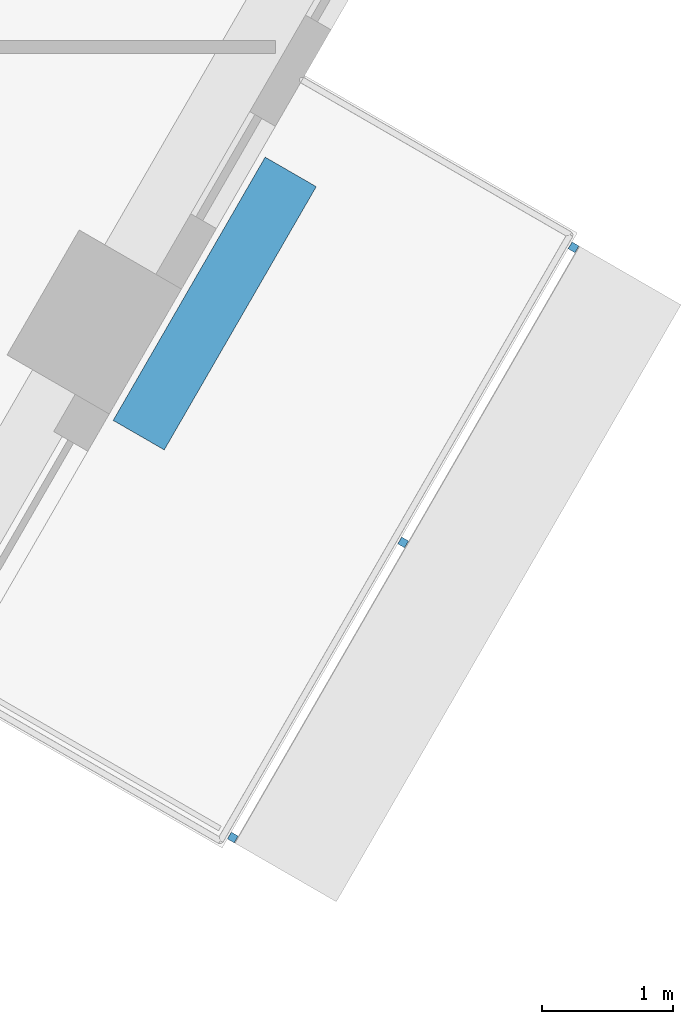
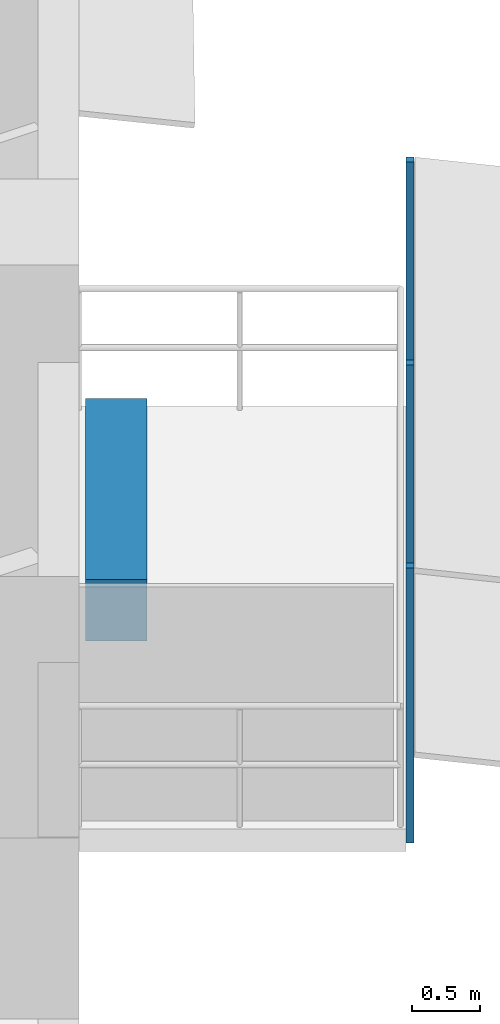
# One storey, part 9 of 12: 4 discrete accessories.
"""IFC4 building model written with IfcOpenShell, lengths in metres."""

from ifc_helpers import new_model, si_unit, direction, frame, origin, origin_2d, place, context, subcontext, project, spatial, rectangle, extrude, material, type_object, element, save


model = new_model("IFC4")

# Units and contexts
model_context = context("Model", 3, precision=1e-05, world=origin(), true_north=direction((0.0, 1.0)))
body_context = subcontext(model_context, "Body", "Model", "MODEL_VIEW")
ifc_project = project(units=[si_unit("LENGTHUNIT", "METRE"), si_unit("AREAUNIT", "SQUARE_METRE"), si_unit("VOLUMEUNIT", "CUBIC_METRE"), si_unit("PLANEANGLEUNIT", "RADIAN"), si_unit("MASSUNIT", "GRAM", prefix="KILO")], contexts=[model_context])

# Site, building, storey
site_placement = place(None, origin())
site = spatial("IfcSite", under=ifc_project, at=site_placement, CompositionType="ELEMENT")
building_placement = place(site_placement, origin())
building = spatial("IfcBuilding", under=site, at=building_placement, Name="Nakaniwa Court", CompositionType="ELEMENT")
storey_placement = place(building_placement, frame((0.0, 0.0, 236.10009765625)))
storey = spatial("IfcBuildingStorey", under=building, at=storey_placement, Name="L61", CompositionType="ELEMENT", Elevation=236.10009765625)

# Discrete accessories
ifc_material_1 = material(Name="Black powder-coated steel bracket S275", Category="steel")
discrete_accessory_type_1 = type_object("IfcDiscreteAccessoryType", Name="Black metal louvre bracket", PredefinedType="BRACKET", material=ifc_material_1)
for number, where, z_axis, x_axis, name in (
    (1, (100.19580078125, 64.8203125, -0.22998046875), (0.0, 0.0, 1.0), (0.500016626402, 0.866015804314, 0.0), "L61 louvre bracket 01 1"),
    (2, (101.49462890625, 67.06982421875, -0.22998046875), (0.0, 0.0, 1.0), (0.500016626402, 0.866015804314, 0.0), "L61 louvre bracket 01 2"),
    (3, (102.79345703125, 69.3193359375, -0.22998046875), (0.0, 0.0, 1.0), (0.500016626402, 0.866015804314, 0.0), "L61 louvre bracket 01 3"),
):
    element("IfcDiscreteAccessory", number, at=place(storey_placement, frame(where, z_axis=z_axis, x_axis=x_axis)), inside=storey, type_object=discrete_accessory_type_1, Name=name, PredefinedType="BRACKET", context=body_context, shape_type="SweptSolid", body=[
        extrude(rectangle(XDim=0.06005859375, YDim=0.06005859375, at=origin_2d()), origin(), (0.0, 0.0, 1.0), 2.46337890625),
    ])
ifc_material_2 = material(Name="Precast concrete C40/50 planter with planted soil", Category="concrete")
discrete_accessory_type_2 = type_object("IfcDiscreteAccessoryType", Name="Planter box charcoal concrete", PredefinedType="USERDEFINED", material=ifc_material_2)
discrete_accessory_placement = place(storey_placement, frame((100.057861328125, 68.89111328125, -0.05029296875), z_axis=(0.0, 0.0, 1.0), x_axis=(0.500016626402, 0.866015804314, 0.0)))
element("IfcDiscreteAccessory", 4, at=discrete_accessory_placement, inside=storey, type_object=discrete_accessory_type_2, Name="L61 balcony PLANTER 01", ObjectType="PLANTER", PredefinedType="USERDEFINED", context=body_context, shape_type="SweptSolid", body=[
    extrude(rectangle(XDim=2.317626953125, YDim=0.449951171875, at=origin_2d()), origin(), (0.0, 0.0, 1.0), 0.550048828125),
])

save(model, "model.ifc")
